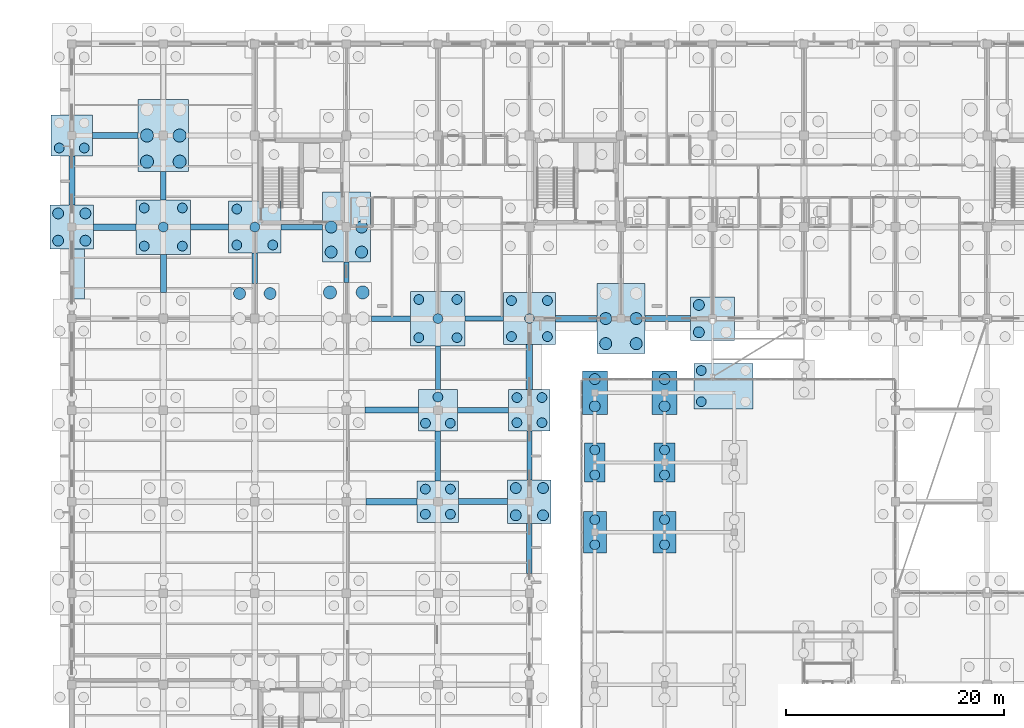
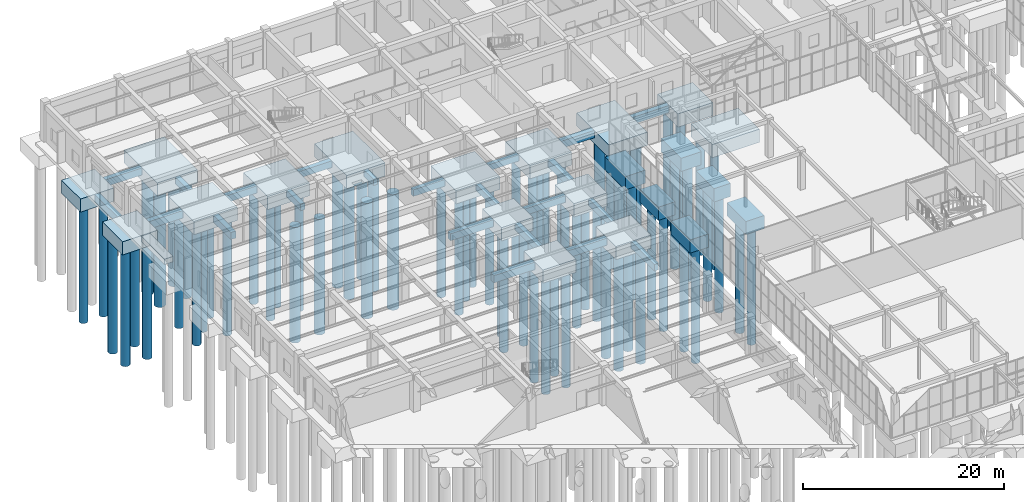
# One storey, part 8 of 192: 72 piles, 44 footings.
"""IFC4 building model written with IfcOpenShell, lengths in metres."""

from ifc_helpers import new_model, si_unit, direction, frame, origin, origin_2d, place, context, subcontext, project, spatial, rectangle, circle, extrude, material, layer, layer_set, material_profile, profile_set, type_object, element, save


model = new_model("IFC4")

# Units and contexts
model_context = context("Model", 3, precision=1e-05, world=origin(), true_north=direction((0.0, 1.0)))
body_context = subcontext(model_context, "Body", "Model", "MODEL_VIEW")
ifc_project = project(units=[si_unit("LENGTHUNIT", "METRE"), si_unit("AREAUNIT", "SQUARE_METRE"), si_unit("VOLUMEUNIT", "CUBIC_METRE"), si_unit("PLANEANGLEUNIT", "RADIAN"), si_unit("MASSUNIT", "GRAM", prefix="KILO")], contexts=[model_context])

# Site, building, storey
site_placement = place(None, origin())
site = spatial("IfcSite", under=ifc_project, at=site_placement, CompositionType="ELEMENT")
building_placement = place(site_placement, origin())
building = spatial("IfcBuilding", under=site, at=building_placement, Name="Trelvath General Hospital", CompositionType="ELEMENT")
storey_placement = place(building_placement, origin())
storey = spatial("IfcBuildingStorey", under=building, at=storey_placement, Name="L00", CompositionType="ELEMENT", Elevation=0.0)

# Piles
ifc_material_1 = material(Name="Concrete C35/45", Category="concrete")
ifc_material_profile_1 = material_profile(ifc_material_1, circle(Radius=0.5, at=origin_2d()), Name="PILE1000")
ifc_profile_set_1 = profile_set([ifc_material_profile_1], Name="Concrete C35/45")
pile_type_1 = type_object("IfcPileType", Name="BoredPile D1000", PredefinedType="BORED", material=ifc_profile_set_1)
for number, where, z_axis, x_axis, name in (
    (1, (-1.25, 99.550048828125, -1.800048828125), (0.0, 0.0, -1.0), (1.0, 0.0, 0.0), "Bored Pile P-0038"),
    (2, (1.25, 99.550048828125, -1.800048828125), (0.0, 0.0, -1.0), (1.0, 0.0, 0.0), "Bored Pile P-0039"),
    (3, (-1.25, 102.050048828125, -1.800048828125), (0.0, 0.0, -1.0), (1.0, 0.0, 0.0), "Bored Pile P-0040"),
    (4, (1.25, 102.050048828125, -1.800048828125), (0.0, 0.0, -1.0), (1.0, 0.0, 0.0), "Bored Pile P-0041"),
    (5, (40.75, 74.35009765625, -1.800048828125), (0.0, 0.0, -1.0), (1.0, 0.0, 0.0), "Bored Pile P-0338"),
    (6, (43.25, 74.35009765625, -1.800048828125), (0.0, 0.0, -1.0), (1.0, 0.0, 0.0), "Bored Pile P-0339"),
    (7, (40.75, 76.85009765625, -1.800048828125), (0.0, 0.0, -1.0), (1.0, 0.0, 0.0), "Bored Pile P-0340"),
    (8, (43.25, 76.85009765625, -1.800048828125), (0.0, 0.0, -1.0), (1.0, 0.0, 0.0), "Bored Pile P-0341"),
    (9, (48.0, 84.35009765625, -1.800048828125), (0.0, 0.0, -1.0), (1.0, 0.0, 0.0), "Bored Pile P-0378"),
    (10, (48.0, 86.85009765625, -1.800048828125), (0.0, 0.0, -1.0), (1.0, 0.0, 0.0), "Bored Pile P-0379"),
    (11, (54.39990234375, 84.35009765625, -1.800048828125), (0.0, 0.0, -1.0), (1.0, 0.0, 0.0), "Bored Pile P-0426"),
    (12, (54.39990234375, 86.85009765625, -1.800048828125), (0.0, 0.0, -1.0), (1.0, 0.0, 0.0), "Bored Pile P-0427"),
    (13, (57.550048828125, 91.14990234375, -1.800048828125), (0.0, 0.0, -1.0), (1.0, 0.0, 0.0), "Bored Pile P-0452"),
    (14, (57.550048828125, 93.64990234375, -1.800048828125), (0.0, 0.0, -1.0), (1.0, 0.0, 0.0), "Bored Pile P-0454"),
):
    element("IfcPile", number, at=place(storey_placement, frame(where, z_axis=z_axis, x_axis=x_axis)), inside=storey, type_object=pile_type_1, Name=name, PredefinedType="BORED", context=body_context, shape_type="SweptSolid", body=[
        extrude(circle(Radius=0.5, at=origin_2d()), origin(), (0.0, 0.0, 1.0), 14.0),
    ])
ifc_material_2 = material(Name="Concrete C35/45", Category="concrete")
ifc_material_profile_2 = material_profile(ifc_material_2, circle(Radius=0.550048828125, at=origin_2d()), Name="PILE1100")
ifc_profile_set_2 = profile_set([ifc_material_profile_2], Name="Concrete C35/45")
pile_type_2 = type_object("IfcPileType", Name="BoredPile D1100", PredefinedType="BORED", material=ifc_profile_set_2)
for number, where, z_axis, x_axis, name in (
    (15, (15.39990234375, 94.699951171875, -1.800048828125), (0.0, 0.0, -1.0), (1.0, 0.0, 0.0), "Bored Pile P-0161"),
    (16, (18.199951171875, 94.699951171875, -1.800048828125), (0.0, 0.0, -1.0), (1.0, 0.0, 0.0), "Bored Pile P-0162"),
    (17, (23.800048828125, 98.5, -1.800048828125), (0.0, 0.0, -1.0), (1.0, 0.0, 0.0), "Bored Pile P-0225"),
    (18, (26.60009765625, 98.5, -1.800048828125), (0.0, 0.0, -1.0), (1.0, 0.0, 0.0), "Bored Pile P-0226"),
    (19, (23.800048828125, 100.800048828125, -1.800048828125), (0.0, 0.0, -1.0), (1.0, 0.0, 0.0), "Bored Pile P-0227"),
    (20, (26.60009765625, 100.800048828125, -1.800048828125), (0.0, 0.0, -1.0), (1.0, 0.0, 0.0), "Bored Pile P-0228"),
    (21, (49.0, 90.10009765625, -1.800048828125), (0.0, 0.0, -1.0), (1.0, 0.0, 0.0), "Bored Pile P-0396"),
    (22, (51.800048828125, 90.10009765625, -1.800048828125), (0.0, 0.0, -1.0), (1.0, 0.0, 0.0), "Bored Pile P-0397"),
    (23, (49.0, 92.39990234375, -1.800048828125), (0.0, 0.0, -1.0), (1.0, 0.0, 0.0), "Bored Pile P-0398"),
    (24, (51.800048828125, 92.39990234375, -1.800048828125), (0.0, 0.0, -1.0), (1.0, 0.0, 0.0), "Bored Pile P-0399"),
):
    element("IfcPile", number, at=place(storey_placement, frame(where, z_axis=z_axis, x_axis=x_axis)), inside=storey, type_object=pile_type_2, Name=name, PredefinedType="BORED", context=body_context, shape_type="SweptSolid", body=[
        extrude(circle(Radius=0.550048828125, at=origin_2d()), origin(), (0.0, 0.0, 1.0), 14.0),
    ])
ifc_material_3 = material(Name="Concrete C35/45", Category="concrete")
ifc_material_profile_3 = material_profile(ifc_material_3, circle(Radius=0.60009765625, at=origin_2d()), Name="PILE1200")
ifc_profile_set_3 = profile_set([ifc_material_profile_3], Name="Concrete C35/45")
pile_type_3 = type_object("IfcPileType", Name="BoredPile D1200", PredefinedType="BORED", material=ifc_profile_set_3)
for number, where, z_axis, x_axis, name in (
    (25, (6.89990234375, 106.800048828125, -1.800048828125), (0.0, 0.0, -1.0), (1.0, 0.0, 0.0), "Bored Pile P-0104"),
    (26, (9.89990234375, 106.800048828125, -1.800048828125), (0.0, 0.0, -1.0), (1.0, 0.0, 0.0), "Bored Pile P-0105"),
    (27, (6.89990234375, 109.199951171875, -1.800048828125), (0.0, 0.0, -1.0), (1.0, 0.0, 0.0), "Bored Pile P-0106"),
    (28, (9.89990234375, 109.199951171875, -1.800048828125), (0.0, 0.0, -1.0), (1.0, 0.0, 0.0), "Bored Pile P-0107"),
    (29, (23.699951171875, 94.800048828125, -1.800048828125), (0.0, 0.0, -1.0), (1.0, 0.0, 0.0), "Bored Pile P-0223"),
    (30, (26.699951171875, 94.800048828125, -1.800048828125), (0.0, 0.0, -1.0), (1.0, 0.0, 0.0), "Bored Pile P-0224"),
):
    element("IfcPile", number, at=place(storey_placement, frame(where, z_axis=z_axis, x_axis=x_axis)), inside=storey, type_object=pile_type_3, Name=name, PredefinedType="BORED", context=body_context, shape_type="SweptSolid", body=[
        extrude(circle(Radius=0.60009765625, at=origin_2d()), origin(), (0.0, 0.0, 1.0), 14.0),
    ])
ifc_material_4 = material(Name="Concrete C35/45", Category="concrete")
ifc_material_profile_4 = material_profile(ifc_material_4, circle(Radius=0.449951171875, at=origin_2d()), Name="PILE900")
ifc_profile_set_4 = profile_set([ifc_material_profile_4], Name="Concrete C35/45")
pile_type_4 = type_object("IfcPileType", Name="BoredPile D900", PredefinedType="BORED", material=ifc_profile_set_4)
for number, where, z_axis, x_axis, name in (
    (31, (-1.14990234375, 108.050048828125, -1.800048828125), (0.0, 0.0, -1.0), (1.0, 0.0, 0.0), "Bored Pile P-0042"),
    (32, (1.14990234375, 108.050048828125, -1.800048828125), (0.0, 0.0, -1.0), (1.0, 0.0, 0.0), "Bored Pile P-0043"),
    (33, (6.64990234375, 99.050048828125, -1.800048828125), (0.0, 0.0, -1.0), (1.0, 0.0, 0.0), "Bored Pile P-0099"),
    (34, (10.14990234375, 99.050048828125, -1.800048828125), (0.0, 0.0, -1.0), (1.0, 0.0, 0.0), "Bored Pile P-0100"),
    (35, (8.39990234375, 100.800048828125, -1.800048828125), (0.0, 0.0, -1.0), (1.0, 0.0, 0.0), "Bored Pile P-0101"),
    (36, (6.64990234375, 102.550048828125, -1.800048828125), (0.0, 0.0, -1.0), (1.0, 0.0, 0.0), "Bored Pile P-0102"),
    (37, (10.14990234375, 102.550048828125, -1.800048828125), (0.0, 0.0, -1.0), (1.0, 0.0, 0.0), "Bored Pile P-0103"),
    (38, (15.14990234375, 99.14990234375, -1.800048828125), (0.0, 0.0, -1.0), (1.0, 0.0, 0.0), "Bored Pile P-0163"),
    (39, (18.449951171875, 99.14990234375, -1.800048828125), (0.0, 0.0, -1.0), (1.0, 0.0, 0.0), "Bored Pile P-0164"),
    (40, (16.800048828125, 100.800048828125, -1.800048828125), (0.0, 0.0, -1.0), (1.0, 0.0, 0.0), "Bored Pile P-0165"),
    (41, (15.14990234375, 102.449951171875, -1.800048828125), (0.0, 0.0, -1.0), (1.0, 0.0, 0.0), "Bored Pile P-0166"),
    (42, (32.449951171875, 74.449951171875, -1.800048828125), (0.0, 0.0, -1.0), (1.0, 0.0, 0.0), "Bored Pile P-0274"),
    (43, (34.75, 74.449951171875, -1.800048828125), (0.0, 0.0, -1.0), (1.0, 0.0, 0.0), "Bored Pile P-0275"),
    (44, (32.449951171875, 76.75, -1.800048828125), (0.0, 0.0, -1.0), (1.0, 0.0, 0.0), "Bored Pile P-0276"),
    (45, (34.75, 76.75, -1.800048828125), (0.0, 0.0, -1.0), (1.0, 0.0, 0.0), "Bored Pile P-0277"),
    (46, (32.4599609375, 82.800048828125, -1.800048828125), (0.0, 0.0, -1.0), (1.0, 0.0, 0.0), "Bored Pile P-0278"),
    (47, (34.739990234375, 82.800048828125, -1.800048828125), (0.0, 0.0, -1.0), (1.0, 0.0, 0.0), "Bored Pile P-0279"),
    (48, (33.60009765625, 85.199951171875, -1.800048828125), (0.0, 0.0, -1.0), (1.0, 0.0, 0.0), "Bored Pile P-0280"),
    (49, (31.85009765625, 90.64990234375, -1.800048828125), (0.0, 0.0, -1.0), (1.0, 0.0, 0.0), "Bored Pile P-0281"),
    (50, (35.35009765625, 90.64990234375, -1.800048828125), (0.0, 0.0, -1.0), (1.0, 0.0, 0.0), "Bored Pile P-0282"),
    (51, (33.60009765625, 92.39990234375, -1.800048828125), (0.0, 0.0, -1.0), (1.0, 0.0, 0.0), "Bored Pile P-0283"),
    (52, (31.85009765625, 94.14990234375, -1.800048828125), (0.0, 0.0, -1.0), (1.0, 0.0, 0.0), "Bored Pile P-0284"),
    (53, (35.35009765625, 94.14990234375, -1.800048828125), (0.0, 0.0, -1.0), (1.0, 0.0, 0.0), "Bored Pile P-0285"),
    (54, (40.85009765625, 82.85009765625, -1.800048828125), (0.0, 0.0, -1.0), (1.0, 0.0, 0.0), "Bored Pile P-0342"),
    (55, (43.14990234375, 82.85009765625, -1.800048828125), (0.0, 0.0, -1.0), (1.0, 0.0, 0.0), "Bored Pile P-0343"),
    (56, (40.85009765625, 85.14990234375, -1.800048828125), (0.0, 0.0, -1.0), (1.0, 0.0, 0.0), "Bored Pile P-0344"),
    (57, (43.14990234375, 85.14990234375, -1.800048828125), (0.0, 0.0, -1.0), (1.0, 0.0, 0.0), "Bored Pile P-0345"),
    (58, (40.35009765625, 90.75, -1.800048828125), (0.0, 0.0, -1.0), (1.0, 0.0, 0.0), "Bored Pile P-0346"),
    (59, (43.64990234375, 90.75, -1.800048828125), (0.0, 0.0, -1.0), (1.0, 0.0, 0.0), "Bored Pile P-0347"),
    (60, (42.0, 92.39990234375, -1.800048828125), (0.0, 0.0, -1.0), (1.0, 0.0, 0.0), "Bored Pile P-0348"),
    (61, (40.35009765625, 94.050048828125, -1.800048828125), (0.0, 0.0, -1.0), (1.0, 0.0, 0.0), "Bored Pile P-0349"),
    (62, (43.64990234375, 94.050048828125, -1.800048828125), (0.0, 0.0, -1.0), (1.0, 0.0, 0.0), "Bored Pile P-0350"),
    (63, (48.0, 71.64990234375, -1.800048828125), (0.0, 0.0, -1.0), (1.0, 0.0, 0.0), "Bored Pile P-0374"),
    (64, (48.0, 73.949951171875, -1.800048828125), (0.0, 0.0, -1.0), (1.0, 0.0, 0.0), "Bored Pile P-0375"),
    (65, (48.0, 78.050048828125, -1.800048828125), (0.0, 0.0, -1.0), (1.0, 0.0, 0.0), "Bored Pile P-0376"),
    (66, (48.0, 80.35009765625, -1.800048828125), (0.0, 0.0, -1.0), (1.0, 0.0, 0.0), "Bored Pile P-0377"),
    (67, (54.39990234375, 71.64990234375, -1.800048828125), (0.0, 0.0, -1.0), (1.0, 0.0, 0.0), "Bored Pile P-0422"),
    (68, (54.39990234375, 73.949951171875, -1.800048828125), (0.0, 0.0, -1.0), (1.0, 0.0, 0.0), "Bored Pile P-0423"),
    (69, (54.39990234375, 78.050048828125, -1.800048828125), (0.0, 0.0, -1.0), (1.0, 0.0, 0.0), "Bored Pile P-0424"),
    (70, (54.39990234375, 80.35009765625, -1.800048828125), (0.0, 0.0, -1.0), (1.0, 0.0, 0.0), "Bored Pile P-0425"),
    (71, (57.77001953125, 84.77001953125, -1.800048828125), (0.0, 0.0, -1.0), (1.0, 0.0, 0.0), "Bored Pile P-0448"),
    (72, (57.77001953125, 87.6298828125, -1.800048828125), (0.0, 0.0, -1.0), (1.0, 0.0, 0.0), "Bored Pile P-0449"),
):
    element("IfcPile", number, at=place(storey_placement, frame(where, z_axis=z_axis, x_axis=x_axis)), inside=storey, type_object=pile_type_4, Name=name, PredefinedType="BORED", context=body_context, shape_type="SweptSolid", body=[
        extrude(circle(Radius=0.449951171875, at=origin_2d()), origin(), (0.0, 0.0, 1.0), 14.0),
    ])

# Footings
ifc_material_5 = material(Name="Concrete C35/45", Category="concrete")
ifc_layer_1 = layer(ifc_material_5, 1.60009765625)
ifc_layer_set_1 = layer_set([ifc_layer_1], Name="Concrete C35/45")
footing_type_1 = type_object("IfcFootingType", Name="PileCap 2P 190x360", PredefinedType="PILE_CAP", material=ifc_layer_set_1)
for number, where, z_axis, x_axis, name in (
    (73, (48.0, 79.199951171875, -1.900146484375), (0.0, 0.0, 1.0), (1.0, 0.0, 0.0), "Pile Cap PC-096"),
    (74, (54.39990234375, 79.199951171875, -1.900146484375), (0.0, 0.0, 1.0), (1.0, 0.0, 0.0), "Pile Cap PC-111"),
):
    element("IfcFooting", number, at=place(storey_placement, frame(where, z_axis=z_axis, x_axis=x_axis)), inside=storey, type_object=footing_type_1, Name=name, PredefinedType="PILE_CAP", context=body_context, shape_type="SweptSolid", body=[
        extrude(rectangle(XDim=1.89990234375, YDim=3.60009765625, at=origin_2d()), origin(), (0.0, 0.0, 1.0), 1.60009765625),
    ])
ifc_material_6 = material(Name="Concrete C35/45", Category="concrete")
ifc_layer_2 = layer(ifc_material_6, 1.60009765625)
ifc_layer_set_2 = layer_set([ifc_layer_2], Name="Concrete C35/45")
footing_type_2 = type_object("IfcFootingType", Name="PileCap 2P 210x380", PredefinedType="PILE_CAP", material=ifc_layer_set_2)
for number, where, z_axis, x_axis, name in (
    (75, (48.0, 72.800048828125, -1.900146484375), (0.0, 0.0, 1.0), (1.0, 0.0, 0.0), "Pile Cap PC-095"),
    (76, (54.39990234375, 72.800048828125, -1.900146484375), (0.0, 0.0, 1.0), (1.0, 0.0, 0.0), "Pile Cap PC-110"),
):
    element("IfcFooting", number, at=place(storey_placement, frame(where, z_axis=z_axis, x_axis=x_axis)), inside=storey, type_object=footing_type_2, Name=name, PredefinedType="PILE_CAP", context=body_context, shape_type="SweptSolid", body=[
        extrude(rectangle(XDim=2.10009765625, YDim=3.800048828125, at=origin_2d()), origin(), (0.0, 0.0, 1.0), 1.60009765625),
    ])
ifc_material_7 = material(Name="Concrete C35/45", Category="concrete")
ifc_layer_3 = layer(ifc_material_7, 1.60009765625)
ifc_layer_set_3 = layer_set([ifc_layer_3], Name="Concrete C35/45")
footing_type_3 = type_object("IfcFootingType", Name="PileCap 2P 230x400", PredefinedType="PILE_CAP", material=ifc_layer_set_3)
for number, where, z_axis, x_axis, name in (
    (77, (48.0, 85.60009765625, -1.900146484375), (0.0, 0.0, 1.0), (1.0, 0.0, 0.0), "Pile Cap PC-097"),
    (78, (54.39990234375, 85.60009765625, -1.900146484375), (0.0, 0.0, 1.0), (1.0, 0.0, 0.0), "Pile Cap PC-112"),
):
    element("IfcFooting", number, at=place(storey_placement, frame(where, z_axis=z_axis, x_axis=x_axis)), inside=storey, type_object=footing_type_3, Name=name, PredefinedType="PILE_CAP", context=body_context, shape_type="SweptSolid", body=[
        extrude(rectangle(XDim=2.300048828125, YDim=4.0, at=origin_2d()), origin(), (0.0, 0.0, 1.0), 1.60009765625),
    ])
ifc_material_8 = material(Name="Concrete C35/45", Category="concrete")
ifc_layer_4 = layer(ifc_material_8, 1.60009765625)
ifc_layer_set_4 = layer_set([ifc_layer_4], Name="Concrete C35/45")
footing_type_4 = type_object("IfcFootingType", Name="PileCap 3P 360x380", PredefinedType="PILE_CAP", material=ifc_layer_set_4)
footing_1_placement = place(storey_placement, frame((33.60009765625, 84.0, -1.900146484375), z_axis=(0.0, 0.0, 1.0), x_axis=(1.0, 0.0, 0.0)))
element("IfcFooting", 79, at=footing_1_placement, inside=storey, type_object=footing_type_4, Name="Pile Cap PC-071", PredefinedType="PILE_CAP", context=body_context, shape_type="SweptSolid", body=[
    extrude(rectangle(XDim=3.60009765625, YDim=3.800048828125, at=origin_2d()), origin(), (0.0, 0.0, 1.0), 1.60009765625),
])
ifc_material_9 = material(Name="Concrete C35/45", Category="concrete")
ifc_layer_5 = layer(ifc_material_9, 1.60009765625)
ifc_layer_set_5 = layer_set([ifc_layer_5], Name="Concrete C35/45")
footing_type_5 = type_object("IfcFootingType", Name="PileCap 4P 380x380", PredefinedType="PILE_CAP", material=ifc_layer_set_5)
for number, where, z_axis, x_axis, name in (
    (80, (0.0, 109.199951171875, -1.900146484375), (0.0, 0.0, 1.0), (1.0, 0.0, 0.0), "Pile Cap PC-014"),
    (81, (33.60009765625, 75.60009765625, -1.900146484375), (0.0, 0.0, 1.0), (1.0, 0.0, 0.0), "Pile Cap PC-070"),
    (82, (42.0, 84.0, -1.900146484375), (0.0, 0.0, 1.0), (1.0, 0.0, 0.0), "Pile Cap PC-086"),
):
    element("IfcFooting", number, at=place(storey_placement, frame(where, z_axis=z_axis, x_axis=x_axis)), inside=storey, type_object=footing_type_5, Name=name, PredefinedType="PILE_CAP", context=body_context, shape_type="SweptSolid", body=[
        extrude(rectangle(XDim=3.800048828125, YDim=3.800048828125, at=origin_2d()), origin(), (0.0, 0.0, 1.0), 1.60009765625),
    ])
ifc_material_10 = material(Name="Concrete C35/45", Category="concrete")
ifc_layer_6 = layer(ifc_material_10, 1.60009765625)
ifc_layer_set_6 = layer_set([ifc_layer_6], Name="Concrete C35/45")
footing_type_6 = type_object("IfcFootingType", Name="PileCap 4P 400x400", PredefinedType="PILE_CAP", material=ifc_layer_set_6)
for number, where, z_axis, x_axis, name in (
    (83, (0.0, 100.800048828125, -1.900146484375), (0.0, 0.0, 1.0), (1.0, 0.0, 0.0), "Pile Cap PC-013"),
    (84, (42.0, 75.60009765625, -1.900146484375), (0.0, 0.0, 1.0), (1.0, 0.0, 0.0), "Pile Cap PC-085"),
    (85, (58.800048828125, 92.39990234375, -1.900146484375), (0.0, 0.0, 1.0), (1.0, 0.0, 0.0), "Pile Cap PC-119"),
):
    element("IfcFooting", number, at=place(storey_placement, frame(where, z_axis=z_axis, x_axis=x_axis)), inside=storey, type_object=footing_type_6, Name=name, PredefinedType="PILE_CAP", context=body_context, shape_type="SweptSolid", body=[
        extrude(rectangle(XDim=4.0, YDim=4.0, at=origin_2d()), origin(), (0.0, 0.0, 1.0), 1.60009765625),
    ])
ifc_material_11 = material(Name="Concrete C35/45", Category="concrete")
ifc_layer_7 = layer(ifc_material_11, 1.60009765625)
ifc_layer_set_7 = layer_set([ifc_layer_7], Name="Concrete C35/45")
footing_type_7 = type_object("IfcFootingType", Name="PileCap 5P 480x480", PredefinedType="PILE_CAP", material=ifc_layer_set_7)
for number, where, z_axis, x_axis, name in (
    (86, (16.800048828125, 100.800048828125, -1.900146484375), (0.0, 0.0, 1.0), (1.0, 0.0, 0.0), "Pile Cap PC-043"),
    (87, (42.0, 92.39990234375, -1.900146484375), (0.0, 0.0, 1.0), (1.0, 0.0, 0.0), "Pile Cap PC-087"),
):
    element("IfcFooting", number, at=place(storey_placement, frame(where, z_axis=z_axis, x_axis=x_axis)), inside=storey, type_object=footing_type_7, Name=name, PredefinedType="PILE_CAP", context=body_context, shape_type="SweptSolid", body=[
        extrude(rectangle(XDim=4.800048828125, YDim=4.800048828125, at=origin_2d()), origin(), (0.0, 0.0, 1.0), 1.60009765625),
    ])
ifc_material_12 = material(Name="Concrete C35/45", Category="concrete")
ifc_layer_8 = layer(ifc_material_12, 1.60009765625)
ifc_layer_set_8 = layer_set([ifc_layer_8], Name="Concrete C35/45")
footing_type_8 = type_object("IfcFootingType", Name="PileCap 5P 500x500", PredefinedType="PILE_CAP", material=ifc_layer_set_8)
for number, where, z_axis, x_axis, name in (
    (88, (8.39990234375, 100.800048828125, -1.900146484375), (0.0, 0.0, 1.0), (1.0, 0.0, 0.0), "Pile Cap PC-028"),
    (89, (33.60009765625, 92.39990234375, -1.900146484375), (0.0, 0.0, 1.0), (1.0, 0.0, 0.0), "Pile Cap PC-072"),
):
    element("IfcFooting", number, at=place(storey_placement, frame(where, z_axis=z_axis, x_axis=x_axis)), inside=storey, type_object=footing_type_8, Name=name, PredefinedType="PILE_CAP", context=body_context, shape_type="SweptSolid", body=[
        extrude(rectangle(XDim=5.0, YDim=5.0, at=origin_2d()), origin(), (0.0, 0.0, 1.0), 1.60009765625),
    ])
ifc_material_13 = material(Name="Concrete C35/45", Category="concrete")
ifc_layer_9 = layer(ifc_material_13, 1.60009765625)
ifc_layer_set_9 = layer_set([ifc_layer_9], Name="Concrete C35/45")
footing_type_9 = type_object("IfcFootingType", Name="PileCap 6P 440x640", PredefinedType="PILE_CAP", material=ifc_layer_set_9)
for number, where, z_axis, x_axis, name in (
    (90, (25.199951171875, 100.800048828125, -1.900146484375), (0.0, 0.0, 1.0), (1.0, 0.0, 0.0), "Pile Cap PC-058"),
    (91, (50.39990234375, 92.39990234375, -1.900146484375), (0.0, 0.0, 1.0), (1.0, 0.0, 0.0), "Pile Cap PC-102"),
):
    element("IfcFooting", number, at=place(storey_placement, frame(where, z_axis=z_axis, x_axis=x_axis)), inside=storey, type_object=footing_type_9, Name=name, PredefinedType="PILE_CAP", context=body_context, shape_type="SweptSolid", body=[
        extrude(rectangle(XDim=4.39990234375, YDim=6.39990234375, at=origin_2d()), origin(), (0.0, 0.0, 1.0), 1.60009765625),
    ])
ifc_material_14 = material(Name="Concrete C35/45", Category="concrete")
ifc_layer_10 = layer(ifc_material_14, 1.60009765625)
ifc_layer_set_10 = layer_set([ifc_layer_10], Name="Concrete C35/45")
footing_type_10 = type_object("IfcFootingType", Name="PileCap 6P 460x660", PredefinedType="PILE_CAP", material=ifc_layer_set_10)
footing_2_placement = place(storey_placement, frame((8.39990234375, 109.199951171875, -1.900146484375), z_axis=(0.0, 0.0, 1.0), x_axis=(1.0, 0.0, 0.0)))
element("IfcFooting", 92, at=footing_2_placement, inside=storey, type_object=footing_type_10, Name="Pile Cap PC-029", PredefinedType="PILE_CAP", context=body_context, shape_type="SweptSolid", body=[
    extrude(rectangle(XDim=4.60009765625, YDim=6.60009765625, at=origin_2d()), origin(), (0.0, 0.0, 1.0), 1.60009765625),
])
ifc_material_15 = material(Name="Concrete C35/45", Category="concrete")
ifc_layer_11 = layer(ifc_material_15, 1.60009765625)
ifc_layer_set_11 = layer_set([ifc_layer_11], Name="Concrete C35/45")
footing_type_11 = type_object("IfcFootingType", Name="PileCap Combined 540x420", PredefinedType="PILE_CAP", material=ifc_layer_set_11)
footing_3_placement = place(storey_placement, frame((59.800048828125, 86.199951171875, -1.900146484375), z_axis=(0.0, 0.0, 1.0), x_axis=(1.0, 0.0, 0.0)))
element("IfcFooting", 93, at=footing_3_placement, inside=storey, type_object=footing_type_11, Name="Pile Cap PC-118", PredefinedType="PILE_CAP", context=body_context, shape_type="SweptSolid", body=[
    extrude(rectangle(XDim=5.39990234375, YDim=4.199951171875, at=origin_2d()), origin(), (0.0, 0.0, 1.0), 1.60009765625),
])
ifc_material_16 = material(Name="Concrete C35/45", Category="concrete")
ifc_layer_12 = layer(ifc_material_16, 0.64990234375)
ifc_layer_set_12 = layer_set([ifc_layer_12], Name="Concrete C35/45")
footing_type_12 = type_object("IfcFootingType", Name="StripFooting 1000x650", PredefinedType="STRIP_FOOTING", material=ifc_layer_set_12)
footing_4_placement = place(storey_placement, frame((0.64990234375, 96.5, -1.010009765625), z_axis=(0.0, 0.0, 1.0), x_axis=(1.0, 0.0, 0.0)))
element("IfcFooting", 94, at=footing_4_placement, inside=storey, type_object=footing_type_12, Name="Radiation Wall Strip Footing SF-08", PredefinedType="STRIP_FOOTING", context=body_context, shape_type="SweptSolid", body=[
    extrude(rectangle(XDim=1.0, YDim=4.60009765625, at=origin_2d()), origin(), (0.0, 0.0, 1.0), 0.64990234375),
])
ifc_material_17 = material(Name="Concrete C35/45", Category="concrete")
ifc_layer_13 = layer(ifc_material_17, 0.75)
ifc_layer_set_13 = layer_set([ifc_layer_13], Name="Concrete C35/45")
footing_type_13 = type_object("IfcFootingType", Name="TieBeam 450x750", PredefinedType="FOOTING_BEAM", material=ifc_layer_set_13)
footing_5_placement = place(storey_placement, frame((25.199951171875, 96.64990234375, -1.050048828125), z_axis=(0.0, 0.0, 1.0), x_axis=(1.0, 0.0, 0.0)))
element("IfcFooting", 95, at=footing_5_placement, inside=storey, type_object=footing_type_13, Name="Foundation Tie Beam TB-089", PredefinedType="FOOTING_BEAM", context=body_context, shape_type="SweptSolid", body=[
    extrude(rectangle(XDim=0.449951171875, YDim=1.89990234375, at=origin_2d()), origin(), (0.0, 0.0, 1.0), 0.75),
])
footing_6_placement = place(storey_placement, frame((33.60009765625, 87.89990234375, -1.050048828125), z_axis=(0.0, 0.0, 1.0), x_axis=(1.0, 0.0, 0.0)))
element("IfcFooting", 96, at=footing_6_placement, inside=storey, type_object=footing_type_13, Name="Foundation Tie Beam TB-113", PredefinedType="FOOTING_BEAM", context=body_context, shape_type="SweptSolid", body=[
    extrude(rectangle(XDim=0.449951171875, YDim=4.0, at=origin_2d()), origin(), (0.0, 0.0, 1.0), 0.75),
])
footing_7_placement = place(storey_placement, frame((37.85009765625, 92.39990234375, -1.050048828125), z_axis=(0.0, 0.0, 1.0), x_axis=(1.0, 0.0, 0.0)))
element("IfcFooting", 97, at=footing_7_placement, inside=storey, type_object=footing_type_13, Name="Foundation Tie Beam TB-114", PredefinedType="FOOTING_BEAM", context=body_context, shape_type="SweptSolid", body=[
    extrude(rectangle(XDim=3.5, YDim=0.449951171875, at=origin_2d()), origin(), (0.0, 0.0, 1.0), 0.75),
])
footing_8_placement = place(storey_placement, frame((42.0, 79.85009765625, -1.050048828125), z_axis=(0.0, 0.0, 1.0), x_axis=(1.0, 0.0, 0.0)))
element("IfcFooting", 98, at=footing_8_placement, inside=storey, type_object=footing_type_13, Name="Foundation Tie Beam TB-131", PredefinedType="FOOTING_BEAM", context=body_context, shape_type="SweptSolid", body=[
    extrude(rectangle(XDim=0.449951171875, YDim=4.5, at=origin_2d()), origin(), (0.0, 0.0, 1.0), 0.75),
])
ifc_material_18 = material(Name="Concrete C35/45", Category="concrete")
ifc_layer_14 = layer(ifc_material_18, 0.800048828125)
ifc_layer_set_14 = layer_set([ifc_layer_14], Name="Concrete C35/45")
footing_type_14 = type_object("IfcFootingType", Name="TieBeam 500x800", PredefinedType="FOOTING_BEAM", material=ifc_layer_set_14)
footing_9_placement = place(storey_placement, frame((8.39990234375, 104.60009765625, -1.10009765625), z_axis=(0.0, 0.0, 1.0), x_axis=(1.0, 0.0, 0.0)))
element("IfcFooting", 99, at=footing_9_placement, inside=storey, type_object=footing_type_14, Name="Foundation Tie Beam TB-039", PredefinedType="FOOTING_BEAM", context=body_context, shape_type="SweptSolid", body=[
    extrude(rectangle(XDim=0.5, YDim=2.60009765625, at=origin_2d()), origin(), (0.0, 0.0, 1.0), 0.800048828125),
])
footing_10_placement = place(storey_placement, frame((16.800048828125, 97.0, -1.10009765625), z_axis=(0.0, 0.0, 1.0), x_axis=(1.0, 0.0, 0.0)))
element("IfcFooting", 100, at=footing_10_placement, inside=storey, type_object=footing_type_14, Name="Foundation Tie Beam TB-063", PredefinedType="FOOTING_BEAM", context=body_context, shape_type="SweptSolid", body=[
    extrude(rectangle(XDim=0.5, YDim=2.800048828125, at=origin_2d()), origin(), (0.0, 0.0, 1.0), 0.800048828125),
])
footing_11_placement = place(storey_placement, frame((21.10009765625, 100.800048828125, -1.10009765625), z_axis=(0.0, 0.0, 1.0), x_axis=(1.0, 0.0, 0.0)))
element("IfcFooting", 101, at=footing_11_placement, inside=storey, type_object=footing_type_14, Name="Foundation Tie Beam TB-064", PredefinedType="FOOTING_BEAM", context=body_context, shape_type="SweptSolid", body=[
    extrude(rectangle(XDim=3.800048828125, YDim=0.5, at=origin_2d()), origin(), (0.0, 0.0, 1.0), 0.800048828125),
])
footing_12_placement = place(storey_placement, frame((29.300048828125, 92.39990234375, -1.10009765625), z_axis=(0.0, 0.0, 1.0), x_axis=(1.0, 0.0, 0.0)))
element("IfcFooting", 102, at=footing_12_placement, inside=storey, type_object=footing_type_14, Name="Foundation Tie Beam TB-088", PredefinedType="FOOTING_BEAM", context=body_context, shape_type="SweptSolid", body=[
    extrude(rectangle(XDim=3.60009765625, YDim=0.5, at=origin_2d()), origin(), (0.0, 0.0, 1.0), 0.800048828125),
])
footing_13_placement = place(storey_placement, frame((33.60009765625, 79.800048828125, -1.10009765625), z_axis=(0.0, 0.0, 1.0), x_axis=(1.0, 0.0, 0.0)))
element("IfcFooting", 103, at=footing_13_placement, inside=storey, type_object=footing_type_14, Name="Foundation Tie Beam TB-111", PredefinedType="FOOTING_BEAM", context=body_context, shape_type="SweptSolid", body=[
    extrude(rectangle(XDim=0.5, YDim=4.60009765625, at=origin_2d()), origin(), (0.0, 0.0, 1.0), 0.800048828125),
])
footing_14_placement = place(storey_placement, frame((37.75, 84.0, -1.10009765625), z_axis=(0.0, 0.0, 1.0), x_axis=(1.0, 0.0, 0.0)))
element("IfcFooting", 104, at=footing_14_placement, inside=storey, type_object=footing_type_14, Name="Foundation Tie Beam TB-112", PredefinedType="FOOTING_BEAM", context=body_context, shape_type="SweptSolid", body=[
    extrude(rectangle(XDim=4.699951171875, YDim=0.5, at=origin_2d()), origin(), (0.0, 0.0, 1.0), 0.800048828125),
])
footing_15_placement = place(storey_placement, frame((42.0, 71.300048828125, -1.10009765625), z_axis=(0.0, 0.0, 1.0), x_axis=(1.0, 0.0, 0.0)))
element("IfcFooting", 105, at=footing_15_placement, inside=storey, type_object=footing_type_14, Name="Foundation Tie Beam TB-130", PredefinedType="FOOTING_BEAM", context=body_context, shape_type="SweptSolid", body=[
    extrude(rectangle(XDim=0.5, YDim=4.60009765625, at=origin_2d()), origin(), (0.0, 0.0, 1.0), 0.800048828125),
])
ifc_material_19 = material(Name="Concrete C35/45", Category="concrete")
ifc_layer_15 = layer(ifc_material_19, 0.85009765625)
ifc_layer_set_15 = layer_set([ifc_layer_15], Name="Concrete C35/45")
footing_type_15 = type_object("IfcFootingType", Name="TieBeam 550x850", PredefinedType="FOOTING_BEAM", material=ifc_layer_set_15)
footing_16_placement = place(storey_placement, frame((0.0, 105.050048828125, -1.150146484375), z_axis=(0.0, 0.0, 1.0), x_axis=(1.0, 0.0, 0.0)))
element("IfcFooting", 106, at=footing_16_placement, inside=storey, type_object=footing_type_15, Name="Foundation Tie Beam TB-011", PredefinedType="FOOTING_BEAM", context=body_context, shape_type="SweptSolid", body=[
    extrude(rectangle(XDim=0.550048828125, YDim=4.5, at=origin_2d()), origin(), (0.0, 0.0, 1.0), 0.85009765625),
])
footing_17_placement = place(storey_placement, frame((4.0, 109.199951171875, -1.150146484375), z_axis=(0.0, 0.0, 1.0), x_axis=(1.0, 0.0, 0.0)))
element("IfcFooting", 107, at=footing_17_placement, inside=storey, type_object=footing_type_15, Name="Foundation Tie Beam TB-012", PredefinedType="FOOTING_BEAM", context=body_context, shape_type="SweptSolid", body=[
    extrude(rectangle(XDim=4.199951171875, YDim=0.550048828125, at=origin_2d()), origin(), (0.0, 0.0, 1.0), 0.85009765625),
])
footing_18_placement = place(storey_placement, frame((8.39990234375, 96.550048828125, -1.150146484375), z_axis=(0.0, 0.0, 1.0), x_axis=(1.0, 0.0, 0.0)))
element("IfcFooting", 108, at=footing_18_placement, inside=storey, type_object=footing_type_15, Name="Foundation Tie Beam TB-037", PredefinedType="FOOTING_BEAM", context=body_context, shape_type="SweptSolid", body=[
    extrude(rectangle(XDim=0.550048828125, YDim=3.5, at=origin_2d()), origin(), (0.0, 0.0, 1.0), 0.85009765625),
])
footing_19_placement = place(storey_placement, frame((12.64990234375, 100.800048828125, -1.150146484375), z_axis=(0.0, 0.0, 1.0), x_axis=(1.0, 0.0, 0.0)))
element("IfcFooting", 109, at=footing_19_placement, inside=storey, type_object=footing_type_15, Name="Foundation Tie Beam TB-038", PredefinedType="FOOTING_BEAM", context=body_context, shape_type="SweptSolid", body=[
    extrude(rectangle(XDim=3.5, YDim=0.550048828125, at=origin_2d()), origin(), (0.0, 0.0, 1.0), 0.85009765625),
])
footing_20_placement = place(storey_placement, frame((29.35009765625, 84.0, -1.150146484375), z_axis=(0.0, 0.0, 1.0), x_axis=(1.0, 0.0, 0.0)))
element("IfcFooting", 110, at=footing_20_placement, inside=storey, type_object=footing_type_15, Name="Foundation Tie Beam TB-086", PredefinedType="FOOTING_BEAM", context=body_context, shape_type="SweptSolid", body=[
    extrude(rectangle(XDim=4.89990234375, YDim=0.550048828125, at=origin_2d()), origin(), (0.0, 0.0, 1.0), 0.85009765625),
])
footing_21_placement = place(storey_placement, frame((37.75, 75.60009765625, -1.150146484375), z_axis=(0.0, 0.0, 1.0), x_axis=(1.0, 0.0, 0.0)))
element("IfcFooting", 111, at=footing_21_placement, inside=storey, type_object=footing_type_15, Name="Foundation Tie Beam TB-110", PredefinedType="FOOTING_BEAM", context=body_context, shape_type="SweptSolid", body=[
    extrude(rectangle(XDim=4.5, YDim=0.550048828125, at=origin_2d()), origin(), (0.0, 0.0, 1.0), 0.85009765625),
])
footing_22_placement = place(storey_placement, frame((54.699951171875, 92.39990234375, -1.150146484375), z_axis=(0.0, 0.0, 1.0), x_axis=(1.0, 0.0, 0.0)))
element("IfcFooting", 112, at=footing_22_placement, inside=storey, type_object=footing_type_15, Name="Foundation Tie Beam TB-144", PredefinedType="FOOTING_BEAM", context=body_context, shape_type="SweptSolid", body=[
    extrude(rectangle(XDim=4.199951171875, YDim=0.550048828125, at=origin_2d()), origin(), (0.0, 0.0, 1.0), 0.85009765625),
])
ifc_material_20 = material(Name="Concrete C35/45", Category="concrete")
ifc_layer_16 = layer(ifc_material_20, 0.89990234375)
ifc_layer_set_16 = layer_set([ifc_layer_16], Name="Concrete C35/45")
footing_type_16 = type_object("IfcFootingType", Name="TieBeam 600x900", PredefinedType="FOOTING_BEAM", material=ifc_layer_set_16)
footing_23_placement = place(storey_placement, frame((3.949951171875, 100.800048828125, -1.199951171875), z_axis=(0.0, 0.0, 1.0), x_axis=(1.0, 0.0, 0.0)))
element("IfcFooting", 113, at=footing_23_placement, inside=storey, type_object=footing_type_16, Name="Foundation Tie Beam TB-010", PredefinedType="FOOTING_BEAM", context=body_context, shape_type="SweptSolid", body=[
    extrude(rectangle(XDim=3.89990234375, YDim=0.60009765625, at=origin_2d()), origin(), (0.0, 0.0, 1.0), 0.89990234375),
])
footing_24_placement = place(storey_placement, frame((29.35009765625, 75.60009765625, -1.199951171875), z_axis=(0.0, 0.0, 1.0), x_axis=(1.0, 0.0, 0.0)))
element("IfcFooting", 114, at=footing_24_placement, inside=storey, type_object=footing_type_16, Name="Foundation Tie Beam TB-084", PredefinedType="FOOTING_BEAM", context=body_context, shape_type="SweptSolid", body=[
    extrude(rectangle(XDim=4.699951171875, YDim=0.60009765625, at=origin_2d()), origin(), (0.0, 0.0, 1.0), 0.89990234375),
])
footing_25_placement = place(storey_placement, frame((42.0, 87.949951171875, -1.199951171875), z_axis=(0.0, 0.0, 1.0), x_axis=(1.0, 0.0, 0.0)))
element("IfcFooting", 115, at=footing_25_placement, inside=storey, type_object=footing_type_16, Name="Foundation Tie Beam TB-132", PredefinedType="FOOTING_BEAM", context=body_context, shape_type="SweptSolid", body=[
    extrude(rectangle(XDim=0.60009765625, YDim=4.10009765625, at=origin_2d()), origin(), (0.0, 0.0, 1.0), 0.89990234375),
])
footing_26_placement = place(storey_placement, frame((46.300048828125, 92.39990234375, -1.199951171875), z_axis=(0.0, 0.0, 1.0), x_axis=(1.0, 0.0, 0.0)))
element("IfcFooting", 116, at=footing_26_placement, inside=storey, type_object=footing_type_16, Name="Foundation Tie Beam TB-133", PredefinedType="FOOTING_BEAM", context=body_context, shape_type="SweptSolid", body=[
    extrude(rectangle(XDim=3.800048828125, YDim=0.60009765625, at=origin_2d()), origin(), (0.0, 0.0, 1.0), 0.89990234375),
])

save(model, "model.ifc")
